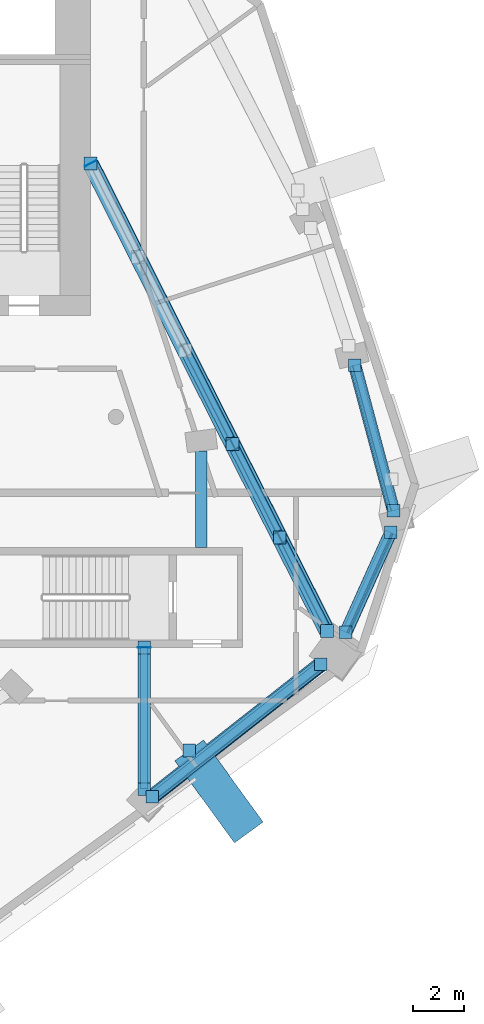
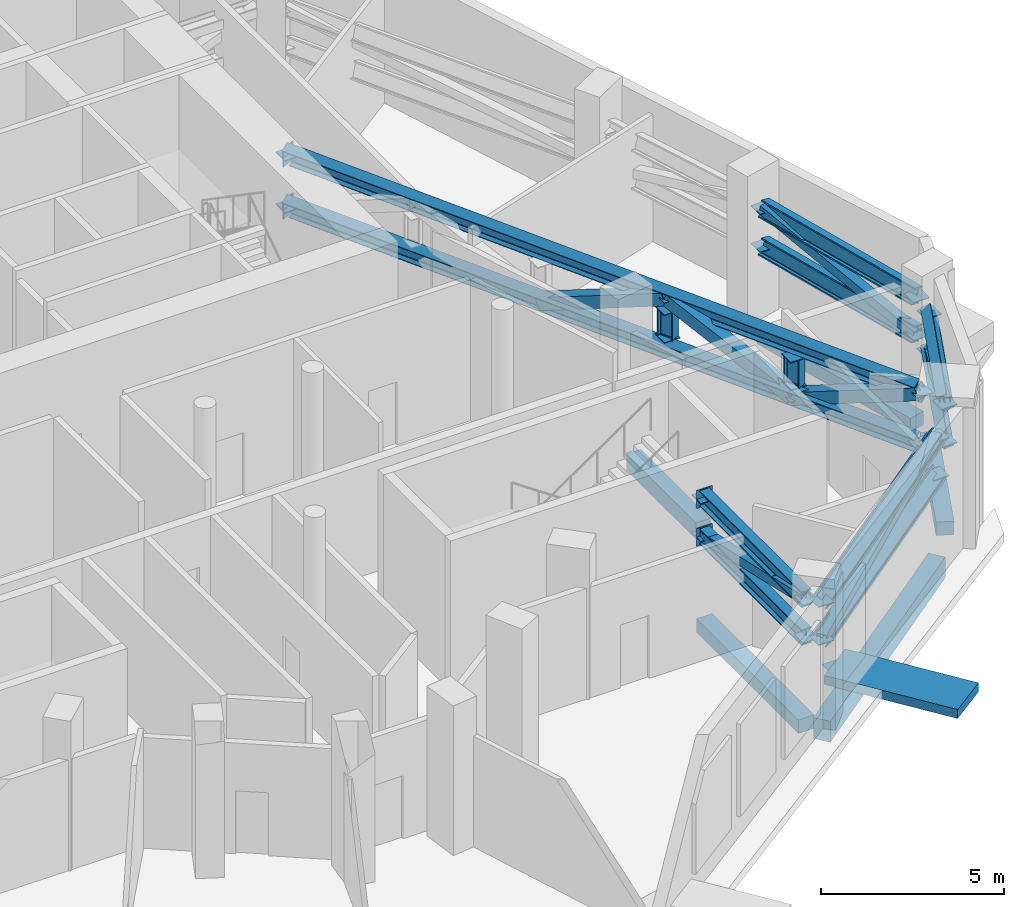
# One storey, part 4 of 16: 31 discrete accessories, 20 members, 5 beams.
"""IFC4 building model written with IfcOpenShell, lengths in metres."""

from ifc_helpers import new_model, si_unit, direction, frame, origin, origin_2d, place, context, subcontext, project, spatial, rectangle, hollow_rectangle, i_section, extrude, material, layer, layer_set, material_profile, profile_set, type_object, element, aggregate, save


model = new_model("IFC4")

# Units and contexts
model_context = context("Model", 3, precision=1e-05, world=origin(), true_north=direction((0.0, 1.0)))
body_context = subcontext(model_context, "Body", "Model", "MODEL_VIEW")
ifc_project = project(units=[si_unit("LENGTHUNIT", "METRE"), si_unit("AREAUNIT", "SQUARE_METRE"), si_unit("VOLUMEUNIT", "CUBIC_METRE"), si_unit("PLANEANGLEUNIT", "RADIAN"), si_unit("MASSUNIT", "GRAM", prefix="KILO")], contexts=[model_context])

# Site, building, storey
site_placement = place(None, origin())
site = spatial("IfcSite", under=ifc_project, at=site_placement, CompositionType="ELEMENT")
building_placement = place(site_placement, origin())
building = spatial("IfcBuilding", under=site, at=building_placement, Name="White Candle Pilgrim Tower", CompositionType="ELEMENT")
storey_placement = place(building_placement, frame((0.0, 0.0, 243.300048828125)))
storey = spatial("IfcBuildingStorey", under=building, at=storey_placement, Name="L57", CompositionType="ELEMENT", Elevation=243.300048828125)

# Member
ifc_material_1 = material(Name="Steel S355", Category="steel")
ifc_material_profile_1 = material_profile(ifc_material_1, i_section(OverallWidth=0.305908203125, OverallDepth=0.52392578125, WebThickness=0.02099609375, FlangeThickness=0.0400390625, FilletRadius=0.027099609375, at=origin_2d()), Name="HEM 500")
ifc_profile_set_1 = profile_set([ifc_material_profile_1], Name="Steel S355")
member_type_1 = type_object("IfcMemberType", Name="Belt truss chord HEM 500 S355", PredefinedType="CHORD", material=ifc_profile_set_1)
member_1_placement = place(storey_placement, frame((83.1201171875, 52.306884765625, 2.411865234375), z_axis=(0.0, 1.0, 0.0), x_axis=(1.0, 0.0, 0.0)))
member_1 = element("IfcMember", 1, at=member_1_placement, inside=storey, type_object=member_type_1, Name="L57 belt truss bottom chord 04", PredefinedType="CHORD", context=body_context, shape_type="SweptSolid", body=[
    extrude(i_section(OverallWidth=0.305908203125, OverallDepth=0.52392578125, WebThickness=0.02099609375, FlangeThickness=0.0400390625, FilletRadius=0.027099609375, at=origin_2d()), origin(), (0.0, 0.0, 1.0), 5.593017578125),
])

member_2_placement = place(storey_placement, frame((83.1201171875, 52.306884765625, 3.677978515625), z_axis=(0.0, 1.0, 0.0), x_axis=(1.0, 0.0, 0.0)))
member_2 = element("IfcMember", 2, at=member_2_placement, inside=storey, type_object=member_type_1, Name="L57 belt truss top chord 04", PredefinedType="CHORD", context=body_context, shape_type="SweptSolid", body=[
    extrude(i_section(OverallWidth=0.305908203125, OverallDepth=0.52392578125, WebThickness=0.02099609375, FlangeThickness=0.0400390625, FilletRadius=0.027099609375, at=origin_2d()), origin(), (0.0, 0.0, 1.0), 5.593017578125),
])

member_3_placement = place(storey_placement, frame((83.438232421875, 52.01025390625, 2.411865234375), z_axis=(0.786178058268, 0.618000049109, 0.0), x_axis=(0.381921865201, -0.485855285654, 0.786180850875)))
member_3 = element("IfcMember", 3, at=member_3_placement, inside=storey, type_object=member_type_1, Name="L57 belt truss bottom chord 05", PredefinedType="CHORD", context=body_context, shape_type="SweptSolid", body=[
    extrude(i_section(OverallWidth=0.305908203125, OverallDepth=0.52392578125, WebThickness=0.02099609375, FlangeThickness=0.0400390625, FilletRadius=0.027099609375, at=origin_2d()), origin(), (0.0, 0.0, 1.0), 8.4560546875),
])

member_4_placement = place(storey_placement, frame((83.438232421875, 52.01025390625, 3.677978515625), z_axis=(0.786178058268, 0.618000049109, 0.0), x_axis=(0.381921865201, -0.485855285654, 0.786180850875)))
member_4 = element("IfcMember", 4, at=member_4_placement, inside=storey, type_object=member_type_1, Name="L57 belt truss top chord 05", PredefinedType="CHORD", context=body_context, shape_type="SweptSolid", body=[
    extrude(i_section(OverallWidth=0.305908203125, OverallDepth=0.52392578125, WebThickness=0.02099609375, FlangeThickness=0.0400390625, FilletRadius=0.027099609375, at=origin_2d()), origin(), (0.0, 0.0, 1.0), 8.4560546875),
])

member_5_placement = place(storey_placement, frame((91.0751953125, 58.495361328125, 2.411865234375), z_axis=(0.410043403319, 0.912066010437, 0.0), x_axis=(0.831849252994, -0.37397983791, 0.410080359357)))
member_5 = element("IfcMember", 5, at=member_5_placement, inside=storey, type_object=member_type_1, Name="L57 belt truss bottom chord 06", PredefinedType="CHORD", context=body_context, shape_type="SweptSolid", body=[
    extrude(i_section(OverallWidth=0.305908203125, OverallDepth=0.52392578125, WebThickness=0.02099609375, FlangeThickness=0.0400390625, FilletRadius=0.027099609375, at=origin_2d()), origin(), (0.0, 0.0, 1.0), 4.3291015625),
])

member_6_placement = place(storey_placement, frame((91.0751953125, 58.495361328125, 3.677978515625), z_axis=(0.410043403319, 0.912066010437, 0.0), x_axis=(0.831849252994, -0.37397983791, 0.410080359357)))
member_6 = element("IfcMember", 6, at=member_6_placement, inside=storey, type_object=member_type_1, Name="L57 belt truss top chord 06", PredefinedType="CHORD", context=body_context, shape_type="SweptSolid", body=[
    extrude(i_section(OverallWidth=0.305908203125, OverallDepth=0.52392578125, WebThickness=0.02099609375, FlangeThickness=0.0400390625, FilletRadius=0.027099609375, at=origin_2d()), origin(), (0.0, 0.0, 1.0), 4.3291015625),
])

member_7_placement = place(storey_placement, frame((92.956787109375, 63.29638671875, 2.411865234375), z_axis=(-0.257841470678, 0.966187236512, 0.0), x_axis=(0.933512622111, 0.249121762621, -0.257861458437)))
member_7 = element("IfcMember", 7, at=member_7_placement, inside=storey, type_object=member_type_1, Name="L57 belt truss bottom chord 07", PredefinedType="CHORD", context=body_context, shape_type="SweptSolid", body=[
    extrude(i_section(OverallWidth=0.305908203125, OverallDepth=0.52392578125, WebThickness=0.02099609375, FlangeThickness=0.0400390625, FilletRadius=0.027099609375, at=origin_2d()), origin(), (0.0, 0.0, 1.0), 5.9482421875),
])

member_8_placement = place(storey_placement, frame((92.956787109375, 63.29638671875, 3.677978515625), z_axis=(-0.257841470678, 0.966187236512, 0.0), x_axis=(0.933512622111, 0.249121762621, -0.257861458437)))
member_8 = element("IfcMember", 8, at=member_8_placement, inside=storey, type_object=member_type_1, Name="L57 belt truss top chord 07", PredefinedType="CHORD", context=body_context, shape_type="SweptSolid", body=[
    extrude(i_section(OverallWidth=0.305908203125, OverallDepth=0.52392578125, WebThickness=0.02099609375, FlangeThickness=0.0400390625, FilletRadius=0.027099609375, at=origin_2d()), origin(), (0.0, 0.0, 1.0), 5.9482421875),
])

# Members
ifc_material_profile_2 = material_profile(ifc_material_1, hollow_rectangle(XDim=0.300048828125, YDim=0.300048828125, WallThickness=0.01611328125, at=origin_2d()), Name="SHS 300x300x16")
ifc_profile_set_2 = profile_set([ifc_material_profile_2], Name="Steel S355")
member_type_2 = type_object("IfcMemberType", Name="Belt truss diagonal SHS 300x300x16 S355", PredefinedType="BRACE", material=ifc_profile_set_2)
member_9_placement = place(storey_placement, frame((83.1201171875, 52.306884765625, 3.677978515625), z_axis=(0.0, 0.975321948495, -0.220787447069), x_axis=(-1.0, 0.0, 0.0)))
element("IfcMember", 9, at=member_9_placement, inside=storey, type_object=member_type_2, Name="L57 belt truss diagonal 04", PredefinedType="BRACE", context=body_context, shape_type="SweptSolid", body=[
    extrude(hollow_rectangle(XDim=0.300048828125, YDim=0.300048828125, WallThickness=0.01611328125, at=origin_2d()), origin(), (0.0, 0.0, 1.0), 5.734619140625),
])
member_10_placement = place(storey_placement, frame((83.438232421875, 52.01025390625, 2.411865234375), z_axis=(0.777510949945, 0.611186995357, 0.148078288153), x_axis=(-0.618000049109, 0.786178058268, 0.0)))
element("IfcMember", 10, at=member_10_placement, inside=storey, type_object=member_type_2, Name="L57 belt truss diagonal 05", PredefinedType="BRACE", context=body_context, shape_type="SweptSolid", body=[
    extrude(hollow_rectangle(XDim=0.300048828125, YDim=0.300048828125, WallThickness=0.01611328125, at=origin_2d()), origin(), (0.0, 0.0, 1.0), 8.55029296875),
])
member_11_placement = place(storey_placement, frame((91.0751953125, 58.495361328125, 3.677978515625), z_axis=(0.393557513714, 0.875396186121, -0.28070269098), x_axis=(-0.912066010437, 0.410043403319, 0.0)))
element("IfcMember", 11, at=member_11_placement, inside=storey, type_object=member_type_2, Name="L57 belt truss diagonal 06", PredefinedType="BRACE", context=body_context, shape_type="SweptSolid", body=[
    extrude(hollow_rectangle(XDim=0.300048828125, YDim=0.300048828125, WallThickness=0.01611328125, at=origin_2d()), origin(), (0.0, 0.0, 1.0), 4.510498046875),
])
member_12_placement = place(storey_placement, frame((92.956787109375, 63.29638671875, 2.411865234375), z_axis=(-0.252191611452, 0.945016003436, 0.208192565583), x_axis=(-0.966187236512, -0.257841470678, 0.0)))
element("IfcMember", 12, at=member_12_placement, inside=storey, type_object=member_type_2, Name="L57 belt truss diagonal 07", PredefinedType="BRACE", context=body_context, shape_type="SweptSolid", body=[
    extrude(hollow_rectangle(XDim=0.300048828125, YDim=0.300048828125, WallThickness=0.01611328125, at=origin_2d()), origin(), (0.0, 0.0, 1.0), 6.08154296875),
])

# Member
ifc_material_profile_3 = material_profile(ifc_material_1, i_section(OverallWidth=0.302978515625, OverallDepth=0.81396484375, WebThickness=0.02099609375, FlangeThickness=0.0400390625, FilletRadius=0.030029296875, at=origin_2d()), Name="HEM 800")
ifc_profile_set_3 = profile_set([ifc_material_profile_3], Name="Steel S355")
member_type_3 = type_object("IfcMemberType", Name="L44 outrigger 1 chord HEM 800 S355", PredefinedType="CHORD", material=ifc_profile_set_3)
member_13_placement = place(storey_placement, frame((81.0, 77.0, 2.556884765625), z_axis=(0.451469090021, -0.892286759263, 0.0), x_axis=(0.796173176291, 0.402838634181, 0.451474593045)))
member_13 = element("IfcMember", 13, at=member_13_placement, inside=storey, type_object=member_type_3, Name="L57 outrigger 2 bottom chord", PredefinedType="CHORD", context=body_context, shape_type="SweptSolid", body=[
    extrude(i_section(OverallWidth=0.302978515625, OverallDepth=0.81396484375, WebThickness=0.02099609375, FlangeThickness=0.0400390625, FilletRadius=0.030029296875, at=origin_2d()), origin(), (0.0, 0.0, 1.0), 20.6748046875),
])

member_14_placement = place(storey_placement, frame((81.0, 77.0, 4.29296875), z_axis=(0.451469090021, -0.892286759263, 0.0), x_axis=(0.796173176291, 0.402838634181, 0.451474593045)))
member_14 = element("IfcMember", 14, at=member_14_placement, inside=storey, type_object=member_type_3, Name="L57 outrigger 2 top chord", PredefinedType="CHORD", context=body_context, shape_type="SweptSolid", body=[
    extrude(i_section(OverallWidth=0.302978515625, OverallDepth=0.81396484375, WebThickness=0.02099609375, FlangeThickness=0.0400390625, FilletRadius=0.030029296875, at=origin_2d()), origin(), (0.0, 0.0, 1.0), 20.6748046875),
])

ifc_material_profile_4 = material_profile(ifc_material_1, hollow_rectangle(XDim=0.39990234375, YDim=0.39990234375, WallThickness=0.02001953125, at=origin_2d()), Name="SHS 400x400x20")
ifc_profile_set_4 = profile_set([ifc_material_profile_4], Name="Steel S355")
member_type_4 = type_object("IfcMemberType", Name="L44 outrigger 1 diagonal SHS 400x400x20 S355", PredefinedType="BRACE", material=ifc_profile_set_4)
member_15_placement = place(storey_placement, frame((84.733642578125, 69.620849609375, 2.556884765625), z_axis=(0.416302091111, -0.822696116238, 0.387122292388), x_axis=(0.892267673569, 0.451506809144, 0.0)))
member_15 = element("IfcMember", 15, at=member_15_placement, inside=storey, type_object=member_type_4, Name="L57 outrigger 2 diagonal 3", PredefinedType="BRACE", context=body_context, shape_type="SweptSolid", body=[
    extrude(hollow_rectangle(XDim=0.39990234375, YDim=0.39990234375, WallThickness=0.02001953125, at=origin_2d()), origin(), (0.0, 0.0, 1.0), 4.484619140625),
])

member_16_placement = place(storey_placement, frame((86.6005859375, 65.931396484375, 4.29296875), z_axis=(0.416238441172, -0.822732351744, -0.387113726808), x_axis=(0.89230349299, 0.451436015841, 0.0)))
member_16 = element("IfcMember", 16, at=member_16_placement, inside=storey, type_object=member_type_4, Name="L57 outrigger 2 diagonal 4", PredefinedType="BRACE", context=body_context, shape_type="SweptSolid", body=[
    extrude(hollow_rectangle(XDim=0.39990234375, YDim=0.39990234375, WallThickness=0.02001953125, at=origin_2d()), origin(), (0.0, 0.0, 1.0), 4.484619140625),
])

member_17_placement = place(storey_placement, frame((88.46728515625, 62.24169921875, 2.556884765625), z_axis=(0.416257084501, -0.822714760788, 0.387131065641), x_axis=(0.892291459582, 0.451459800156, 0.0)))
element("IfcMember", 17, at=member_17_placement, inside=storey, type_object=member_type_4, Name="L57 outrigger 2 diagonal 5", PredefinedType="BRACE", context=body_context, shape_type="SweptSolid", body=[
    extrude(hollow_rectangle(XDim=0.39990234375, YDim=0.39990234375, WallThickness=0.02001953125, at=origin_2d()), origin(), (0.0, 0.0, 1.0), 4.484375),
])

ifc_material_profile_5 = material_profile(ifc_material_1, i_section(OverallWidth=0.300048828125, OverallDepth=0.5, WebThickness=0.014404296875, FlangeThickness=0.028076171875, FilletRadius=0.027099609375, at=origin_2d()), Name="HEB 500")
ifc_profile_set_5 = profile_set([ifc_material_profile_5], Name="Steel S355")
member_type_5 = type_object("IfcMemberType", Name="L44 outrigger 1 post HEB 500 S355", PredefinedType="POST", material=ifc_profile_set_5)
member_18_placement = place(storey_placement, frame((86.6005859375, 65.931396484375, 2.9638671875), z_axis=(0.0, 0.0, 1.0), x_axis=(0.892283974884, 0.451474593045, 0.0)))
member_18 = element("IfcMember", 18, at=member_18_placement, inside=storey, type_object=member_type_5, Name="L57 outrigger 2 post 3", PredefinedType="POST", context=body_context, shape_type="SweptSolid", body=[
    extrude(i_section(OverallWidth=0.300048828125, OverallDepth=0.5, WebThickness=0.014404296875, FlangeThickness=0.028076171875, FilletRadius=0.027099609375, at=origin_2d()), origin(), (0.0, 0.0, 1.0), 0.922119140625),
])

member_19_placement = place(storey_placement, frame((88.46728515625, 62.24169921875, 2.9638671875), z_axis=(0.0, 0.0, 1.0), x_axis=(0.892283974884, 0.451474593045, 0.0)))
member_19 = element("IfcMember", 19, at=member_19_placement, inside=storey, type_object=member_type_5, Name="L57 outrigger 2 post 4", PredefinedType="POST", context=body_context, shape_type="SweptSolid", body=[
    extrude(i_section(OverallWidth=0.300048828125, OverallDepth=0.5, WebThickness=0.014404296875, FlangeThickness=0.028076171875, FilletRadius=0.027099609375, at=origin_2d()), origin(), (0.0, 0.0, 1.0), 0.922119140625),
])

ifc_material_2 = material(Name="Concrete C70/85, white", Category="concrete")
ifc_layer_1 = layer(ifc_material_2, 0.300048828125)
ifc_layer_set_1 = layer_set([ifc_layer_1], Name="Node tie strut 4000x1400x300 C70/85")
member_type_6 = type_object("IfcMemberType", Name="Node tie strut 4000x1400x300 C70/85", PredefinedType="STRUT", material=ifc_layer_set_1)
member_20_placement = place(storey_placement, frame((86.0693359375, 52.220458984375, -0.30029296875), z_axis=(0.0, 0.0, 1.0), x_axis=(0.809016994375, 0.587785252292, 0.0)))
member_20 = element("IfcMember", 20, at=member_20_placement, inside=storey, type_object=member_type_6, Name="Node tie strut NC197", PredefinedType="STRUT", context=body_context, shape_type="SweptSolid", body=[
    extrude(rectangle(XDim=1.39990234375, YDim=4.0, at=origin_2d()), origin(), (0.0, 0.0, 1.0), 0.300048828125),
])

# Beams
ifc_material_3 = material(Name="Concrete C50/60", Category="concrete")
ifc_material_profile_6 = material_profile(ifc_material_3, rectangle(XDim=0.449951171875, YDim=0.550048828125, at=origin_2d()), Name="RC-BM 450x550")
ifc_profile_set_6 = profile_set([ifc_material_profile_6], Name="Concrete C50/60")
beam_type_1 = type_object("IfcBeamType", Name="Ring beam RC-BM 450x550 C50/60", PredefinedType="BEAM", material=ifc_profile_set_6)
beam_1_placement = place(storey_placement, frame((85.3701171875, 65.656494140625, -0.574951171875), z_axis=(0.0, -1.0, 0.0), x_axis=(1.0, 0.0, 0.0)))
element("IfcBeam", 21, at=beam_1_placement, inside=storey, type_object=beam_type_1, Name="L57 ring beam R06", PredefinedType="BEAM", context=body_context, shape_type="SweptSolid", body=[
    extrude(rectangle(XDim=0.449951171875, YDim=0.550048828125, at=origin_2d()), origin(), (0.0, 0.0, 1.0), 3.806396484375),
])
ifc_material_profile_7 = material_profile(ifc_material_3, rectangle(XDim=0.5, YDim=0.449951171875, at=origin_2d()), Name="RC-BM 500x450")
ifc_profile_set_7 = profile_set([ifc_material_profile_7], Name="Concrete C50/60")
beam_type_2 = type_object("IfcBeamType", Name="Spandrel beam RC-BM 500x450 C50/60", PredefinedType="BEAM", material=ifc_profile_set_7)
beam_2_placement = place(storey_placement, frame((83.1201171875, 52.306884765625, -0.525146484375), z_axis=(0.0, 1.0, 0.0), x_axis=(-1.0, 0.0, 0.0)))
element("IfcBeam", 22, at=beam_2_placement, inside=storey, type_object=beam_type_2, Name="L57 spandrel beam T04", PredefinedType="BEAM", context=body_context, shape_type="SweptSolid", body=[
    extrude(rectangle(XDim=0.5, YDim=0.449951171875, at=origin_2d()), origin(), (0.0, 0.0, 1.0), 5.593017578125),
])
beam_3_placement = place(storey_placement, frame((91.0751953125, 58.495361328125, -0.525146484375), z_axis=(0.410043403319, 0.912066010437, 0.0), x_axis=(-0.912066010437, 0.410043403319, 0.0)))
element("IfcBeam", 23, at=beam_3_placement, inside=storey, type_object=beam_type_2, Name="L57 spandrel beam T06", PredefinedType="BEAM", context=body_context, shape_type="SweptSolid", body=[
    extrude(rectangle(XDim=0.5, YDim=0.449951171875, at=origin_2d()), origin(), (0.0, 0.0, 1.0), 4.3291015625),
])
beam_4_placement = place(storey_placement, frame((92.956787109375, 63.29638671875, -0.525146484375), z_axis=(-0.257841470678, 0.966187236512, 0.0), x_axis=(-0.966187236512, -0.257841470678, 0.0)))
element("IfcBeam", 24, at=beam_4_placement, inside=storey, type_object=beam_type_2, Name="L57 spandrel beam T07", PredefinedType="BEAM", context=body_context, shape_type="SweptSolid", body=[
    extrude(rectangle(XDim=0.5, YDim=0.449951171875, at=origin_2d()), origin(), (0.0, 0.0, 1.0), 5.9482421875),
])
ifc_material_profile_8 = material_profile(ifc_material_3, rectangle(XDim=0.5, YDim=0.699951171875, at=origin_2d()), Name="RC-BM 500x700")
ifc_profile_set_8 = profile_set([ifc_material_profile_8], Name="Concrete C50/60")
beam_type_3 = type_object("IfcBeamType", Name="Spandrel beam RC-BM 500x700 C50/60", PredefinedType="BEAM", material=ifc_profile_set_8)
beam_5_placement = place(storey_placement, frame((83.438232421875, 52.01025390625, -0.650146484375), z_axis=(0.786178058268, 0.618000049109, 0.0), x_axis=(-0.618000049109, 0.786178058268, 0.0)))
element("IfcBeam", 25, at=beam_5_placement, inside=storey, type_object=beam_type_3, Name="L57 spandrel beam T05", PredefinedType="BEAM", context=body_context, shape_type="SweptSolid", body=[
    extrude(rectangle(XDim=0.5, YDim=0.699951171875, at=origin_2d()), origin(), (0.0, 0.0, 1.0), 8.4560546875),
])

# Discrete accessory
ifc_layer_2 = layer(ifc_material_1, 0.030029296875)
ifc_layer_set_2 = layer_set([ifc_layer_2], Name="Cast-in plate 500x600x30 S355")
discrete_accessory_type_1 = type_object("IfcDiscreteAccessoryType", Name="Cast-in plate 500x600x30 S355", PredefinedType="ANCHORPLATE", material=ifc_layer_set_2)
discrete_accessory_1_placement = place(storey_placement, frame((83.1201171875, 57.89990234375, 2.11181640625), z_axis=(0.0, 0.0, 1.0), x_axis=(0.0, -1.0, 0.0)))
discrete_accessory_1 = element("IfcDiscreteAccessory", 26, at=discrete_accessory_1_placement, type_object=discrete_accessory_type_1, Name="Cast-in plate 0027", PredefinedType="ANCHORPLATE", context=body_context, shape_type="SweptSolid", body=[
    extrude(rectangle(XDim=0.030029296875, YDim=0.5, at=origin_2d()), origin(), (0.0, 0.0, 1.0), 0.60009765625),
])

discrete_accessory_2_placement = place(storey_placement, frame((83.1201171875, 57.89990234375, 3.3779296875), z_axis=(0.0, 0.0, 1.0), x_axis=(0.0, -1.0, 0.0)))
discrete_accessory_2 = element("IfcDiscreteAccessory", 27, at=discrete_accessory_2_placement, type_object=discrete_accessory_type_1, Name="Cast-in plate 0028", PredefinedType="ANCHORPLATE", context=body_context, shape_type="SweptSolid", body=[
    extrude(rectangle(XDim=0.030029296875, YDim=0.5, at=origin_2d()), origin(), (0.0, 0.0, 1.0), 0.60009765625),
])

discrete_accessory_3_placement = place(storey_placement, frame((81.0, 77.0, 2.2568359375), z_axis=(0.0, 0.0, 1.0), x_axis=(0.451469426816, -0.892286588855, 0.0)))
discrete_accessory_3 = element("IfcDiscreteAccessory", 28, at=discrete_accessory_3_placement, type_object=discrete_accessory_type_1, Name="Cast-in plate 0051", PredefinedType="ANCHORPLATE", context=body_context, shape_type="SweptSolid", body=[
    extrude(rectangle(XDim=0.030029296875, YDim=0.5, at=origin_2d()), origin(), (0.0, 0.0, 1.0), 0.60009765625),
])

discrete_accessory_4_placement = place(storey_placement, frame((81.0, 77.0, 3.992919921875), z_axis=(0.0, 0.0, 1.0), x_axis=(0.451469426816, -0.892286588855, 0.0)))
discrete_accessory_4 = element("IfcDiscreteAccessory", 29, at=discrete_accessory_4_placement, type_object=discrete_accessory_type_1, Name="Cast-in plate 0052", PredefinedType="ANCHORPLATE", context=body_context, shape_type="SweptSolid", body=[
    extrude(rectangle(XDim=0.030029296875, YDim=0.5, at=origin_2d()), origin(), (0.0, 0.0, 1.0), 0.60009765625),
])

ifc_layer_3 = layer(ifc_material_1, 0.02490234375)
ifc_layer_set_3 = layer_set([ifc_layer_3], Name="Gusset plate 500x500x25 S355")
discrete_accessory_type_2 = type_object("IfcDiscreteAccessoryType", Name="Gusset plate 500x500x25 S355", PredefinedType="BRACKET", material=ifc_layer_set_3)
discrete_accessory_5_placement = place(storey_placement, frame((84.893798828125, 53.83837890625, -0.16259765625), z_axis=(0.0, 0.0, 1.0), x_axis=(1.0, 0.0, 0.0)))
discrete_accessory_5 = element("IfcDiscreteAccessory", 30, at=discrete_accessory_5_placement, type_object=discrete_accessory_type_2, Name="Gusset plate 0578", PredefinedType="BRACKET", context=body_context, shape_type="SweptSolid", body=[
    extrude(rectangle(XDim=0.5, YDim=0.5, at=origin_2d()), origin(), (0.0, 0.0, 1.0), 0.02490234375),
])

aggregate(member_20, [discrete_accessory_5])

discrete_accessory_6_placement = place(storey_placement, frame((83.1201171875, 52.306884765625, 2.3994140625), z_axis=(0.0, 0.0, 1.0), x_axis=(1.0, 0.0, 0.0)))
discrete_accessory_6 = element("IfcDiscreteAccessory", 31, at=discrete_accessory_6_placement, type_object=discrete_accessory_type_2, Name="Gusset plate 0850", PredefinedType="BRACKET", context=body_context, shape_type="SweptSolid", body=[
    extrude(rectangle(XDim=0.5, YDim=0.5, at=origin_2d()), origin(), (0.0, 0.0, 1.0), 0.02490234375),
])

discrete_accessory_7_placement = place(storey_placement, frame((83.1201171875, 57.89990234375, 2.3994140625), z_axis=(0.0, 0.0, 1.0), x_axis=(1.0, 0.0, 0.0)))
discrete_accessory_7 = element("IfcDiscreteAccessory", 32, at=discrete_accessory_7_placement, type_object=discrete_accessory_type_2, Name="Gusset plate 0851", PredefinedType="BRACKET", context=body_context, shape_type="SweptSolid", body=[
    extrude(rectangle(XDim=0.5, YDim=0.5, at=origin_2d()), origin(), (0.0, 0.0, 1.0), 0.02490234375),
])

aggregate(member_1, [discrete_accessory_6, discrete_accessory_7, discrete_accessory_1])

discrete_accessory_8_placement = place(storey_placement, frame((83.1201171875, 52.306884765625, 3.66552734375), z_axis=(0.0, 0.0, 1.0), x_axis=(1.0, 0.0, 0.0)))
discrete_accessory_8 = element("IfcDiscreteAccessory", 33, at=discrete_accessory_8_placement, type_object=discrete_accessory_type_2, Name="Gusset plate 0852", PredefinedType="BRACKET", context=body_context, shape_type="SweptSolid", body=[
    extrude(rectangle(XDim=0.5, YDim=0.5, at=origin_2d()), origin(), (0.0, 0.0, 1.0), 0.02490234375),
])

discrete_accessory_9_placement = place(storey_placement, frame((83.1201171875, 57.89990234375, 3.66552734375), z_axis=(0.0, 0.0, 1.0), x_axis=(1.0, 0.0, 0.0)))
discrete_accessory_9 = element("IfcDiscreteAccessory", 34, at=discrete_accessory_9_placement, type_object=discrete_accessory_type_2, Name="Gusset plate 0853", PredefinedType="BRACKET", context=body_context, shape_type="SweptSolid", body=[
    extrude(rectangle(XDim=0.5, YDim=0.5, at=origin_2d()), origin(), (0.0, 0.0, 1.0), 0.02490234375),
])

aggregate(member_2, [discrete_accessory_8, discrete_accessory_9, discrete_accessory_2])

discrete_accessory_10_placement = place(storey_placement, frame((83.438232421875, 52.01025390625, 2.3994140625), z_axis=(0.0, 0.0, 1.0), x_axis=(1.0, 0.0, 0.0)))
discrete_accessory_10 = element("IfcDiscreteAccessory", 35, at=discrete_accessory_10_placement, type_object=discrete_accessory_type_2, Name="Gusset plate 0854", PredefinedType="BRACKET", context=body_context, shape_type="SweptSolid", body=[
    extrude(rectangle(XDim=0.5, YDim=0.5, at=origin_2d()), origin(), (0.0, 0.0, 1.0), 0.02490234375),
])

discrete_accessory_11_placement = place(storey_placement, frame((90.086181640625, 57.236083984375, 2.3994140625), z_axis=(0.0, 0.0, 1.0), x_axis=(1.0, 0.0, 0.0)))
discrete_accessory_11 = element("IfcDiscreteAccessory", 36, at=discrete_accessory_11_placement, type_object=discrete_accessory_type_2, Name="Gusset plate 0855", PredefinedType="BRACKET", context=body_context, shape_type="SweptSolid", body=[
    extrude(rectangle(XDim=0.5, YDim=0.5, at=origin_2d()), origin(), (0.0, 0.0, 1.0), 0.02490234375),
])

aggregate(member_3, [discrete_accessory_10, discrete_accessory_11])

discrete_accessory_12_placement = place(storey_placement, frame((83.438232421875, 52.01025390625, 3.66552734375), z_axis=(0.0, 0.0, 1.0), x_axis=(1.0, 0.0, 0.0)))
discrete_accessory_12 = element("IfcDiscreteAccessory", 37, at=discrete_accessory_12_placement, type_object=discrete_accessory_type_2, Name="Gusset plate 0856", PredefinedType="BRACKET", context=body_context, shape_type="SweptSolid", body=[
    extrude(rectangle(XDim=0.5, YDim=0.5, at=origin_2d()), origin(), (0.0, 0.0, 1.0), 0.02490234375),
])

discrete_accessory_13_placement = place(storey_placement, frame((90.086181640625, 57.236083984375, 3.66552734375), z_axis=(0.0, 0.0, 1.0), x_axis=(1.0, 0.0, 0.0)))
discrete_accessory_13 = element("IfcDiscreteAccessory", 38, at=discrete_accessory_13_placement, type_object=discrete_accessory_type_2, Name="Gusset plate 0857", PredefinedType="BRACKET", context=body_context, shape_type="SweptSolid", body=[
    extrude(rectangle(XDim=0.5, YDim=0.5, at=origin_2d()), origin(), (0.0, 0.0, 1.0), 0.02490234375),
])

aggregate(member_4, [discrete_accessory_12, discrete_accessory_13])

discrete_accessory_14_placement = place(storey_placement, frame((91.0751953125, 58.495361328125, 2.3994140625), z_axis=(0.0, 0.0, 1.0), x_axis=(1.0, 0.0, 0.0)))
discrete_accessory_14 = element("IfcDiscreteAccessory", 39, at=discrete_accessory_14_placement, type_object=discrete_accessory_type_2, Name="Gusset plate 0858", PredefinedType="BRACKET", context=body_context, shape_type="SweptSolid", body=[
    extrude(rectangle(XDim=0.5, YDim=0.5, at=origin_2d()), origin(), (0.0, 0.0, 1.0), 0.02490234375),
])

discrete_accessory_15_placement = place(storey_placement, frame((92.850341796875, 62.44384765625, 2.3994140625), z_axis=(0.0, 0.0, 1.0), x_axis=(1.0, 0.0, 0.0)))
discrete_accessory_15 = element("IfcDiscreteAccessory", 40, at=discrete_accessory_15_placement, type_object=discrete_accessory_type_2, Name="Gusset plate 0859", PredefinedType="BRACKET", context=body_context, shape_type="SweptSolid", body=[
    extrude(rectangle(XDim=0.5, YDim=0.5, at=origin_2d()), origin(), (0.0, 0.0, 1.0), 0.02490234375),
])

aggregate(member_5, [discrete_accessory_14, discrete_accessory_15])

discrete_accessory_16_placement = place(storey_placement, frame((91.0751953125, 58.495361328125, 3.66552734375), z_axis=(0.0, 0.0, 1.0), x_axis=(1.0, 0.0, 0.0)))
discrete_accessory_16 = element("IfcDiscreteAccessory", 41, at=discrete_accessory_16_placement, type_object=discrete_accessory_type_2, Name="Gusset plate 0860", PredefinedType="BRACKET", context=body_context, shape_type="SweptSolid", body=[
    extrude(rectangle(XDim=0.5, YDim=0.5, at=origin_2d()), origin(), (0.0, 0.0, 1.0), 0.02490234375),
])

discrete_accessory_17_placement = place(storey_placement, frame((92.850341796875, 62.44384765625, 3.66552734375), z_axis=(0.0, 0.0, 1.0), x_axis=(1.0, 0.0, 0.0)))
discrete_accessory_17 = element("IfcDiscreteAccessory", 42, at=discrete_accessory_17_placement, type_object=discrete_accessory_type_2, Name="Gusset plate 0861", PredefinedType="BRACKET", context=body_context, shape_type="SweptSolid", body=[
    extrude(rectangle(XDim=0.5, YDim=0.5, at=origin_2d()), origin(), (0.0, 0.0, 1.0), 0.02490234375),
])

aggregate(member_6, [discrete_accessory_16, discrete_accessory_17])

discrete_accessory_18_placement = place(storey_placement, frame((92.956787109375, 63.29638671875, 2.3994140625), z_axis=(0.0, 0.0, 1.0), x_axis=(1.0, 0.0, 0.0)))
discrete_accessory_18 = element("IfcDiscreteAccessory", 43, at=discrete_accessory_18_placement, type_object=discrete_accessory_type_2, Name="Gusset plate 0862", PredefinedType="BRACKET", context=body_context, shape_type="SweptSolid", body=[
    extrude(rectangle(XDim=0.5, YDim=0.5, at=origin_2d()), origin(), (0.0, 0.0, 1.0), 0.02490234375),
])

discrete_accessory_19_placement = place(storey_placement, frame((91.423095703125, 69.04345703125, 2.3994140625), z_axis=(0.0, 0.0, 1.0), x_axis=(1.0, 0.0, 0.0)))
discrete_accessory_19 = element("IfcDiscreteAccessory", 44, at=discrete_accessory_19_placement, type_object=discrete_accessory_type_2, Name="Gusset plate 0863", PredefinedType="BRACKET", context=body_context, shape_type="SweptSolid", body=[
    extrude(rectangle(XDim=0.5, YDim=0.5, at=origin_2d()), origin(), (0.0, 0.0, 1.0), 0.02490234375),
])

aggregate(member_7, [discrete_accessory_18, discrete_accessory_19])

discrete_accessory_20_placement = place(storey_placement, frame((92.956787109375, 63.29638671875, 3.66552734375), z_axis=(0.0, 0.0, 1.0), x_axis=(1.0, 0.0, 0.0)))
discrete_accessory_20 = element("IfcDiscreteAccessory", 45, at=discrete_accessory_20_placement, type_object=discrete_accessory_type_2, Name="Gusset plate 0864", PredefinedType="BRACKET", context=body_context, shape_type="SweptSolid", body=[
    extrude(rectangle(XDim=0.5, YDim=0.5, at=origin_2d()), origin(), (0.0, 0.0, 1.0), 0.02490234375),
])

discrete_accessory_21_placement = place(storey_placement, frame((91.423095703125, 69.04345703125, 3.66552734375), z_axis=(0.0, 0.0, 1.0), x_axis=(1.0, 0.0, 0.0)))
discrete_accessory_21 = element("IfcDiscreteAccessory", 46, at=discrete_accessory_21_placement, type_object=discrete_accessory_type_2, Name="Gusset plate 0865", PredefinedType="BRACKET", context=body_context, shape_type="SweptSolid", body=[
    extrude(rectangle(XDim=0.5, YDim=0.5, at=origin_2d()), origin(), (0.0, 0.0, 1.0), 0.02490234375),
])

aggregate(member_8, [discrete_accessory_20, discrete_accessory_21])

discrete_accessory_22_placement = place(storey_placement, frame((81.0, 77.0, 2.54443359375), z_axis=(0.0, 0.0, 1.0), x_axis=(1.0, 0.0, 0.0)))
discrete_accessory_22 = element("IfcDiscreteAccessory", 47, at=discrete_accessory_22_placement, type_object=discrete_accessory_type_2, Name="Gusset plate 1000", PredefinedType="BRACKET", context=body_context, shape_type="SweptSolid", body=[
    extrude(rectangle(XDim=0.5, YDim=0.5, at=origin_2d()), origin(), (0.0, 0.0, 1.0), 0.02490234375),
])

discrete_accessory_23_placement = place(storey_placement, frame((90.333984375, 58.55224609375, 2.54443359375), z_axis=(0.0, 0.0, 1.0), x_axis=(1.0, 0.0, 0.0)))
discrete_accessory_23 = element("IfcDiscreteAccessory", 48, at=discrete_accessory_23_placement, type_object=discrete_accessory_type_2, Name="Gusset plate 1001", PredefinedType="BRACKET", context=body_context, shape_type="SweptSolid", body=[
    extrude(rectangle(XDim=0.5, YDim=0.5, at=origin_2d()), origin(), (0.0, 0.0, 1.0), 0.02490234375),
])

aggregate(member_13, [discrete_accessory_22, discrete_accessory_23, discrete_accessory_3])

discrete_accessory_24_placement = place(storey_placement, frame((81.0, 77.0, 4.280517578125), z_axis=(0.0, 0.0, 1.0), x_axis=(1.0, 0.0, 0.0)))
discrete_accessory_24 = element("IfcDiscreteAccessory", 49, at=discrete_accessory_24_placement, type_object=discrete_accessory_type_2, Name="Gusset plate 1002", PredefinedType="BRACKET", context=body_context, shape_type="SweptSolid", body=[
    extrude(rectangle(XDim=0.5, YDim=0.5, at=origin_2d()), origin(), (0.0, 0.0, 1.0), 0.02490234375),
])

discrete_accessory_25_placement = place(storey_placement, frame((90.333984375, 58.55224609375, 4.280517578125), z_axis=(0.0, 0.0, 1.0), x_axis=(1.0, 0.0, 0.0)))
discrete_accessory_25 = element("IfcDiscreteAccessory", 50, at=discrete_accessory_25_placement, type_object=discrete_accessory_type_2, Name="Gusset plate 1003", PredefinedType="BRACKET", context=body_context, shape_type="SweptSolid", body=[
    extrude(rectangle(XDim=0.5, YDim=0.5, at=origin_2d()), origin(), (0.0, 0.0, 1.0), 0.02490234375),
])

aggregate(member_14, [discrete_accessory_24, discrete_accessory_25, discrete_accessory_4])

discrete_accessory_26_placement = place(storey_placement, frame((86.6005859375, 65.931396484375, 4.280517578125), z_axis=(0.0, 0.0, 1.0), x_axis=(1.0, 0.0, 0.0)))
discrete_accessory_26 = element("IfcDiscreteAccessory", 51, at=discrete_accessory_26_placement, type_object=discrete_accessory_type_2, Name="Gusset plate 1006", PredefinedType="BRACKET", context=body_context, shape_type="SweptSolid", body=[
    extrude(rectangle(XDim=0.5, YDim=0.5, at=origin_2d()), origin(), (0.0, 0.0, 1.0), 0.02490234375),
])

aggregate(member_15, [discrete_accessory_26])

discrete_accessory_27_placement = place(storey_placement, frame((88.46728515625, 62.24169921875, 2.54443359375), z_axis=(0.0, 0.0, 1.0), x_axis=(1.0, 0.0, 0.0)))
discrete_accessory_27 = element("IfcDiscreteAccessory", 52, at=discrete_accessory_27_placement, type_object=discrete_accessory_type_2, Name="Gusset plate 1007", PredefinedType="BRACKET", context=body_context, shape_type="SweptSolid", body=[
    extrude(rectangle(XDim=0.5, YDim=0.5, at=origin_2d()), origin(), (0.0, 0.0, 1.0), 0.02490234375),
])

aggregate(member_16, [discrete_accessory_27])

discrete_accessory_28_placement = place(storey_placement, frame((86.6005859375, 65.931396484375, 2.951416015625), z_axis=(0.0, 0.0, 1.0), x_axis=(1.0, 0.0, 0.0)))
discrete_accessory_28 = element("IfcDiscreteAccessory", 53, at=discrete_accessory_28_placement, type_object=discrete_accessory_type_2, Name="Gusset plate 1012", PredefinedType="BRACKET", context=body_context, shape_type="SweptSolid", body=[
    extrude(rectangle(XDim=0.5, YDim=0.5, at=origin_2d()), origin(), (0.0, 0.0, 1.0), 0.02490234375),
])

discrete_accessory_29_placement = place(storey_placement, frame((86.6005859375, 65.931396484375, 3.87353515625), z_axis=(0.0, 0.0, 1.0), x_axis=(1.0, 0.0, 0.0)))
discrete_accessory_29 = element("IfcDiscreteAccessory", 54, at=discrete_accessory_29_placement, type_object=discrete_accessory_type_2, Name="Gusset plate 1013", PredefinedType="BRACKET", context=body_context, shape_type="SweptSolid", body=[
    extrude(rectangle(XDim=0.5, YDim=0.5, at=origin_2d()), origin(), (0.0, 0.0, 1.0), 0.02490234375),
])

aggregate(member_18, [discrete_accessory_28, discrete_accessory_29])

discrete_accessory_30_placement = place(storey_placement, frame((88.46728515625, 62.24169921875, 2.951416015625), z_axis=(0.0, 0.0, 1.0), x_axis=(1.0, 0.0, 0.0)))
discrete_accessory_30 = element("IfcDiscreteAccessory", 55, at=discrete_accessory_30_placement, type_object=discrete_accessory_type_2, Name="Gusset plate 1014", PredefinedType="BRACKET", context=body_context, shape_type="SweptSolid", body=[
    extrude(rectangle(XDim=0.5, YDim=0.5, at=origin_2d()), origin(), (0.0, 0.0, 1.0), 0.02490234375),
])

discrete_accessory_31_placement = place(storey_placement, frame((88.46728515625, 62.24169921875, 3.87353515625), z_axis=(0.0, 0.0, 1.0), x_axis=(1.0, 0.0, 0.0)))
discrete_accessory_31 = element("IfcDiscreteAccessory", 56, at=discrete_accessory_31_placement, type_object=discrete_accessory_type_2, Name="Gusset plate 1015", PredefinedType="BRACKET", context=body_context, shape_type="SweptSolid", body=[
    extrude(rectangle(XDim=0.5, YDim=0.5, at=origin_2d()), origin(), (0.0, 0.0, 1.0), 0.02490234375),
])

aggregate(member_19, [discrete_accessory_30, discrete_accessory_31])

save(model, "model.ifc")
